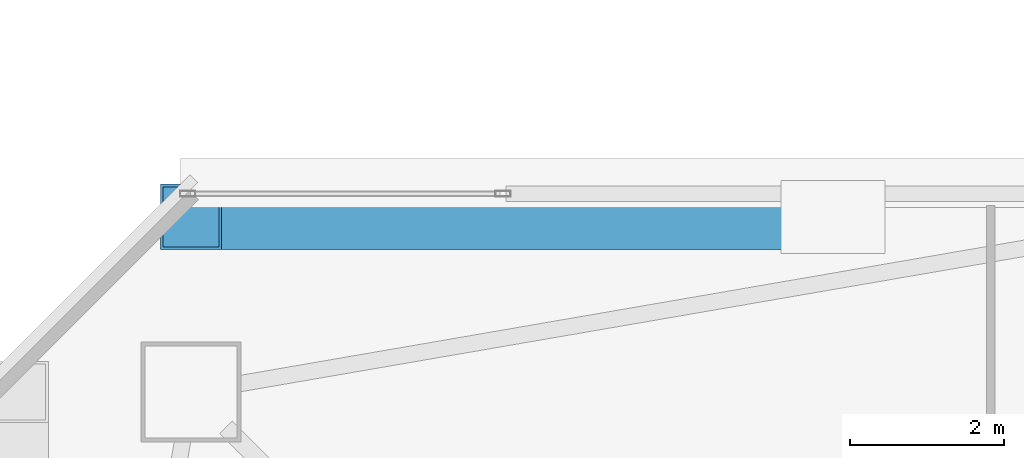
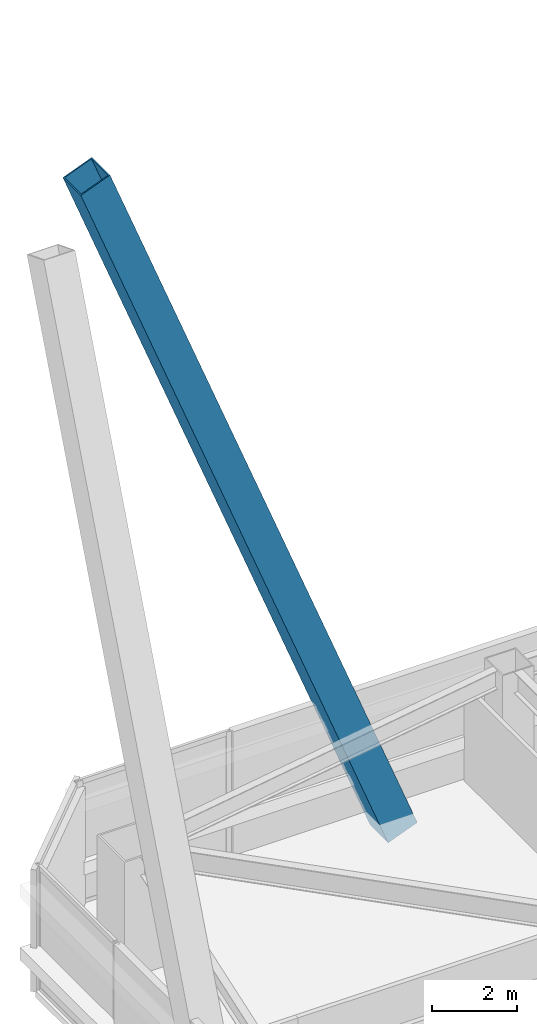
# One storey, part 19 of 54: 1 member.
"""IFC4 building model written with IfcOpenShell, lengths in metres."""

from ifc_helpers import new_model, si_unit, direction, frame, origin, origin_2d, place, context, subcontext, project, spatial, hollow_rectangle, extrude, material, material_profile, profile_set, type_object, element, save


model = new_model("IFC4")

# Units and contexts
model_context = context("Model", 3, precision=1e-05, world=origin(), true_north=direction((0.0, 1.0)))
body_context = subcontext(model_context, "Body", "Model", "MODEL_VIEW")
ifc_project = project(units=[si_unit("LENGTHUNIT", "METRE"), si_unit("AREAUNIT", "SQUARE_METRE"), si_unit("VOLUMEUNIT", "CUBIC_METRE"), si_unit("PLANEANGLEUNIT", "RADIAN"), si_unit("MASSUNIT", "GRAM", prefix="KILO")], contexts=[model_context])

# Site, building, storey
site_placement = place(None, origin())
site = spatial("IfcSite", under=ifc_project, at=site_placement, CompositionType="ELEMENT")
building_placement = place(site_placement, origin())
building = spatial("IfcBuilding", under=site, at=building_placement, Name="Tashvorn Skyway Center", CompositionType="ELEMENT")
storey_placement = place(building_placement, frame((0.0, 0.0, 135.699951171875)))
storey = spatial("IfcBuildingStorey", under=building, at=storey_placement, Name="L36", CompositionType="ELEMENT", Elevation=135.699951171875)

# Member
ifc_material = material(Name="Steel ASTM A572 Grade 50", Category="steel")
ifc_material_profile = material_profile(ifc_material, hollow_rectangle(XDim=0.85009765625, YDim=0.85009765625, WallThickness=0.034912109375, at=origin_2d()), Name="BOX850x850x35")
ifc_profile_set = profile_set([ifc_material_profile], Name="Steel ASTM A572 Grade 50")
member_type = type_object("IfcMemberType", Name="MEM-MB-850", PredefinedType="BRACE", material=ifc_profile_set)
member_placement = place(storey_placement, frame((33.64990234375, 50.97998046875, -0.449951171875), z_axis=(-0.361729555394, 0.0, 0.932283073296), x_axis=(0.0, -1.0, 0.0)))
element("IfcMember", 1, at=member_placement, inside=storey, type_object=member_type, Name="Tower 1 Zone 3 N Chevron Mega-Brace R2", PredefinedType="BRACE", context=body_context, shape_type="SweptSolid", body=[
    extrude(hollow_rectangle(XDim=0.85009765625, YDim=0.85009765625, WallThickness=0.034912109375, at=origin_2d()), origin(), (0.0, 0.0, 1.0), 23.083251953125),
])

save(model, "model.ifc")
